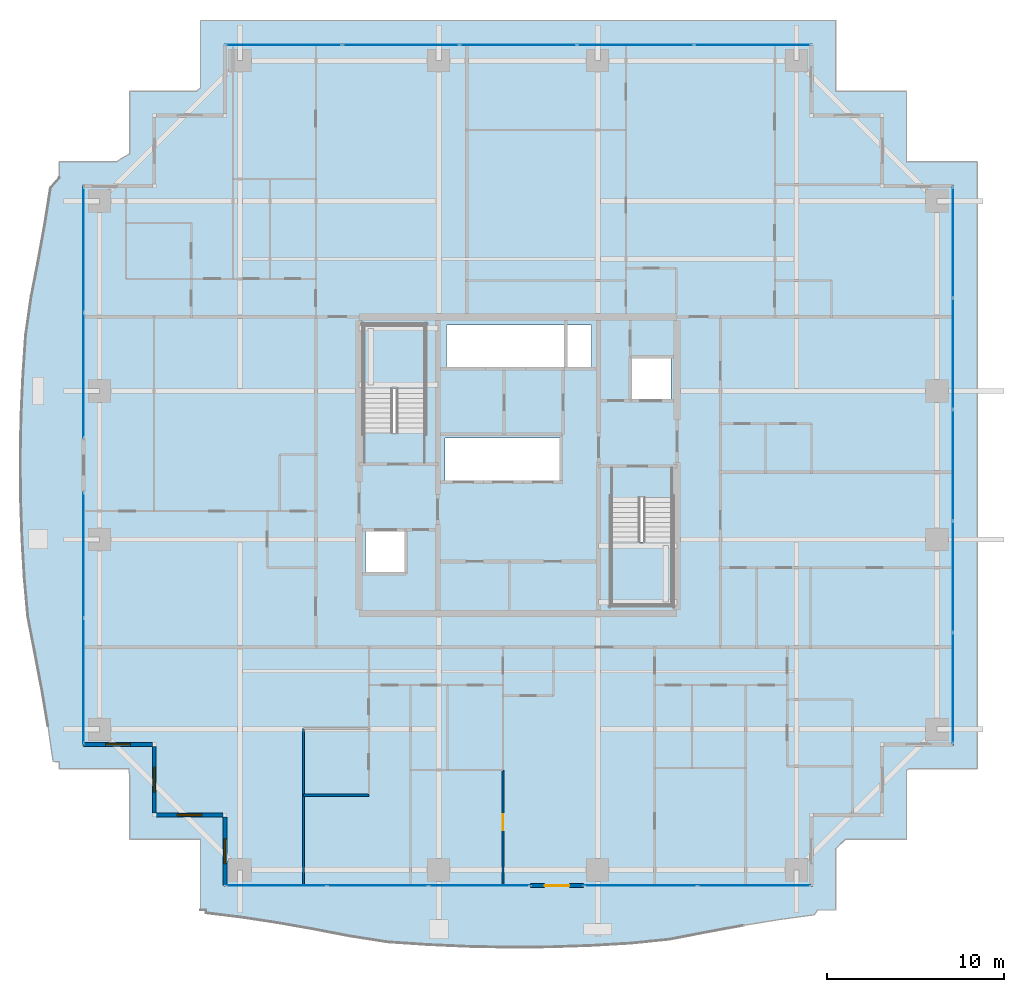
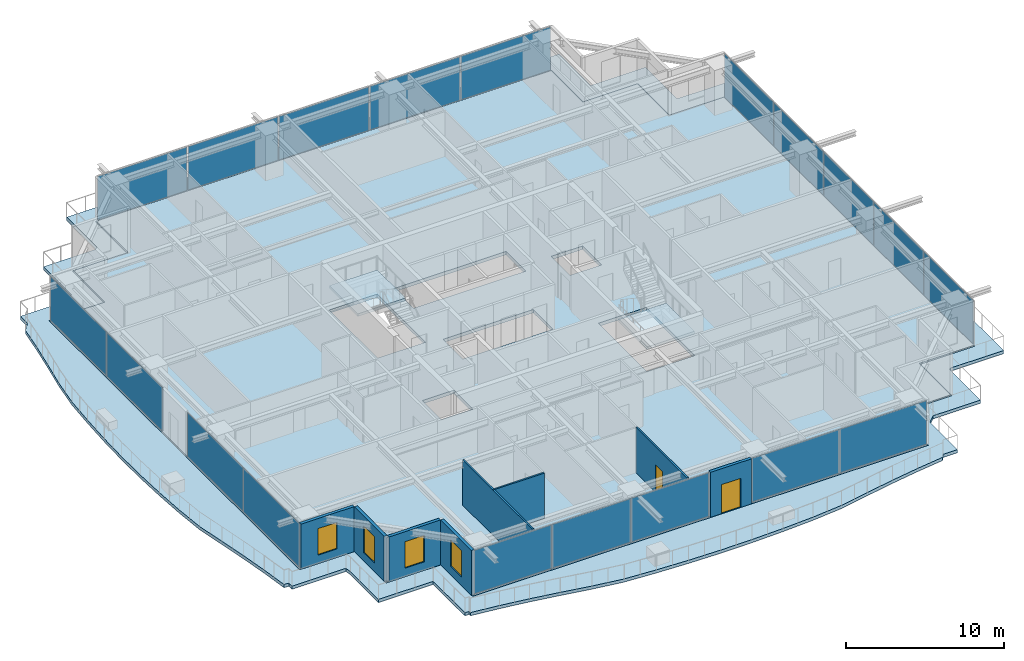
# One storey, part 23 of 34: 19 plates, 8 walls, 4 slabs, 4 windows, 2 doors, 6 openings, 8 elements without a shape of their own.
"""IFC4 building model written with IfcOpenShell, lengths in metres."""

from ifc_helpers import new_model, si_unit, direction, frame, frame_2d, origin, origin_2d, place, context, subcontext, project, spatial, polyline, rectangle, outline, extrude, source, transform, mapped, material, layer, layer_set, type_object, element, fill, aggregate, save


model = new_model("IFC4")

# Units and contexts
model_context = context("Model", 3, precision=1e-05, world=origin(), true_north=direction((0.0, 1.0)))
body_context = subcontext(model_context, "Body", "Model", "MODEL_VIEW")
ifc_project = project(units=[si_unit("LENGTHUNIT", "METRE"), si_unit("AREAUNIT", "SQUARE_METRE"), si_unit("VOLUMEUNIT", "CUBIC_METRE"), si_unit("PLANEANGLEUNIT", "RADIAN"), si_unit("MASSUNIT", "GRAM", prefix="KILO")], contexts=[model_context])

# Site, building, storey
site_placement = place(None, origin())
site = spatial("IfcSite", under=ifc_project, at=site_placement, CompositionType="ELEMENT")
building_placement = place(site_placement, origin())
building = spatial("IfcBuilding", under=site, at=building_placement, Name="Serunith Strait Residences", CompositionType="ELEMENT")
storey_placement = place(building_placement, frame((0.0, 0.0, 187.64990234375)))
storey = spatial("IfcBuildingStorey", under=building, at=storey_placement, Name="L47", CompositionType="ELEMENT", Elevation=187.64990234375)

# Slab
ifc_material_1 = material(Name="Concrete C50/60", Category="concrete")
ifc_layer_1 = layer(ifc_material_1, 0.239990234375, Name="Concrete C50/60")
ifc_layer_set_1 = layer_set([ifc_layer_1], Name="Concrete C50/60")
slab_type_1 = type_object("IfcSlabType", Name="SLB-BALC-240", PredefinedType="FLOOR", material=ifc_layer_set_1)
slab_1_placement = place(storey_placement, frame((0.0, 0.0, -0.289794921875)))
element("IfcSlab", 1, at=slab_1_placement, inside=storey, type_object=slab_type_1, Name="L47 Planted Vertical-Forest Balcony Slab", PredefinedType="FLOOR", context=body_context, shape_type="SweptSolid", body=[
    extrude(outline(polyline([(14.419921875, 0.02001953125), (14.419921875, 4.02001953125), (10.419921875, 4.02001953125), (10.419921875, 7.571533203125), (10.352783203125, 8.02001953125), (6.419921875, 8.02001953125), (6.419921875, 8.41259765625), (6.071533203125, 8.4326171875), (5.786376953125, 10.4326171875), (5.4453125, 12.453125), (5.0576171875, 14.51123046875), (4.648193359375, 16.626220703125), (4.44677734375, 18.855712890625), (4.31591796875, 21.128173828125), (4.23828125, 23.425537109375), (4.221923828125, 25.734619140625), (4.26806640625, 28.039794921875), (4.372314453125, 30.326904296875), (4.524658203125, 32.584228515625), (4.8408203125, 34.759765625), (5.244384765625, 36.84619140625), (5.612060546875, 38.88427734375), (5.927490234375, 40.893310546875), (6.419921875, 41.468017578125), (6.419921875, 42.3798828125), (9.64990234375, 42.3798828125), (10.419921875, 42.8388671875), (10.419921875, 46.3798828125), (14.1982421875, 46.3798828125), (14.419921875, 46.55908203125), (14.419921875, 50.3798828125), (50.3798828125, 50.3798828125), (50.3798828125, 46.3798828125), (54.3798828125, 46.3798828125), (54.3798828125, 42.3798828125), (58.3798828125, 42.3798828125), (58.3798828125, 8.02001953125), (54.51513671875, 8.02001953125), (54.3798828125, 7.921875), (54.3798828125, 4.02001953125), (50.9130859375, 4.02001953125), (50.3798828125, 3.50927734375), (50.3798828125, 0.02001953125), (49.34423828125, 0.02001953125), (49.151611328125, -0.248291015625), (47.151611328125, -0.52099609375), (45.1337890625, -0.851318359375), (43.079833984375, -1.2314453125), (40.97021484375, -1.638427734375), (38.749267578125, -1.864990234375), (36.4755859375, -1.99560546875), (34.17626953125, -2.0732421875), (31.864990234375, -2.090576171875), (29.55712890625, -2.04541015625), (27.267822265625, -1.94287109375), (25.00927734375, -1.79248046875), (22.84423828125, -1.45166015625), (20.7626953125, -1.052978515625), (18.727783203125, -0.69384765625), (16.72021484375, -0.3896484375), (14.723876953125, -0.142822265625), (14.72509765625, 0.02001953125), (14.419921875, 0.02001953125)]), holes=[polyline([(49.054931640625, 1.344970703125), (49.054931640625, 5.344970703125), (53.054931640625, 5.344970703125), (53.054931640625, 9.344970703125), (57.054931640625, 9.344970703125), (57.054931640625, 41.054931640625), (53.054931640625, 41.054931640625), (53.054931640625, 45.054931640625), (49.054931640625, 45.054931640625), (49.054931640625, 49.054931640625), (15.7451171875, 49.054931640625), (15.7451171875, 45.054931640625), (11.7451171875, 45.054931640625), (11.7451171875, 41.054931640625), (7.7451171875, 41.054931640625), (7.7451171875, 9.344970703125), (11.7451171875, 9.344970703125), (11.7451171875, 5.344970703125), (15.7451171875, 5.344970703125), (15.7451171875, 1.344970703125), (49.054931640625, 1.344970703125)])]), origin(), (0.0, 0.0, 1.0), 0.239990234375),
])

# Stair, slab
stair_type_1 = type_object("IfcStairType", Name="STR-CORE-1", PredefinedType="HALF_TURN_STAIR", material=ifc_material_1)
stair_1_placement = place(storey_placement, origin())
stair_1 = element("IfcStair", 2, at=stair_1_placement, inside=storey, type_object=stair_type_1, Name="L47 Protected Escape Stair ST-1", PredefinedType="HALF_TURN_STAIR")
ifc_layer_2 = layer(ifc_material_1, 0.199951171875, Name="Concrete C50/60")
ifc_layer_set_2 = layer_set([ifc_layer_2], Name="Concrete C50/60")
slab_type_2 = type_object("IfcSlabType", Name="SLB-LAND-200", PredefinedType="LANDING", material=ifc_layer_set_2)
slab_2_placement = place(storey_placement, frame((0.0, 0.0, 1.675048828125)))
slab_2 = element("IfcSlab", 3, at=slab_2_placement, type_object=slab_type_2, Name="ST-1 landing 1", PredefinedType="LANDING", context=body_context, shape_type="SweptSolid", body=[
    extrude(outline(polyline([(27.14990234375, 29.550048828125), (27.14990234375, 33.14990234375), (23.64990234375, 33.14990234375), (23.64990234375, 29.550048828125), (27.14990234375, 29.550048828125)])), origin(), (0.0, 0.0, 1.0), 0.199951171875),
])
aggregate(stair_1, [slab_2])

stair_type_2 = type_object("IfcStairType", Name="STR-CORE-2", PredefinedType="HALF_TURN_STAIR", material=ifc_material_1)
stair_2_placement = place(storey_placement, origin())
stair_2 = element("IfcStair", 4, at=stair_2_placement, inside=storey, type_object=stair_type_2, Name="L47 Protected Escape Stair ST-2", PredefinedType="HALF_TURN_STAIR")
slab_3_placement = place(storey_placement, frame((0.0, 0.0, 1.675048828125)))
slab_3 = element("IfcSlab", 5, at=slab_3_placement, type_object=slab_type_2, Name="ST-2 landing 1", PredefinedType="LANDING", context=body_context, shape_type="SweptSolid", body=[
    extrude(outline(polyline([(37.64990234375, 20.85009765625), (37.64990234375, 17.25), (41.14990234375, 17.25), (41.14990234375, 20.85009765625), (37.64990234375, 20.85009765625)])), origin(), (0.0, 0.0, 1.0), 0.199951171875),
])
aggregate(stair_2, [slab_3])

# Slab
ifc_material_2 = material(Name="Concrete C60/75", Category="concrete")
ifc_layer_3 = layer(ifc_material_2, 0.260009765625, Name="Concrete C60/75")
ifc_layer_set_3 = layer_set([ifc_layer_3], Name="Concrete C60/75")
slab_type_3 = type_object("IfcSlabType", Name="SLB-TWR-260-Z2", PredefinedType="FLOOR", material=ifc_layer_set_3)
slab_4_placement = place(storey_placement, frame((0.0, 0.0, -0.260009765625)))
element("IfcSlab", 6, at=slab_4_placement, inside=storey, type_object=slab_type_3, Name="L47 Structural Floor Plate", PredefinedType="FLOOR", context=body_context, shape_type="SweptSolid", body=[
    extrude(outline(polyline([(15.800048828125, 5.39990234375), (11.800048828125, 5.39990234375), (11.800048828125, 9.39990234375), (7.800048828125, 9.39990234375), (7.800048828125, 41.0), (11.800048828125, 41.0), (11.800048828125, 45.0), (15.800048828125, 45.0), (15.800048828125, 49.0), (49.0, 49.0), (49.0, 45.0), (53.0, 45.0), (53.0, 41.0), (57.0, 41.0), (57.0, 9.39990234375), (53.0, 9.39990234375), (53.0, 5.39990234375), (49.0, 5.39990234375), (49.0, 1.39990234375), (15.800048828125, 1.39990234375), (15.800048828125, 5.39990234375)]), holes=[polyline([(41.14990234375, 23.3701171875), (37.64990234375, 23.3701171875), (37.64990234375, 17.25), (41.14990234375, 17.25), (41.14990234375, 23.3701171875)]), polyline([(38.75, 31.25), (38.75, 28.85009765625), (41.050048828125, 28.85009765625), (41.050048828125, 31.25), (38.75, 31.25)]), polyline([(36.550048828125, 33.14990234375), (28.35009765625, 33.14990234375), (28.35009765625, 30.64990234375), (36.550048828125, 30.64990234375), (36.550048828125, 33.14990234375)]), polyline([(34.85009765625, 26.75), (28.25, 26.75), (28.25, 24.25), (34.85009765625, 24.25), (34.85009765625, 26.75)]), polyline([(23.64990234375, 33.14990234375), (23.64990234375, 27.030029296875), (27.14990234375, 27.030029296875), (27.14990234375, 33.14990234375), (23.64990234375, 33.14990234375)]), polyline([(26.050048828125, 21.550048828125), (23.75, 21.550048828125), (23.75, 19.14990234375), (26.050048828125, 19.14990234375), (26.050048828125, 21.550048828125)])]), origin(), (0.0, 0.0, 1.0), 0.260009765625),
])

# Curtain wall, plates
ifc_material_3 = material(Name="Pale-Champagne Anodised Aluminium", Category="aluminium")
ifc_layer_4 = layer(ifc_material_3, 0.199951171875, Name="Pale-Champagne Anodised Aluminium")
ifc_layer_set_4 = layer_set([ifc_layer_4], Name="Pale-Champagne Anodised Aluminium")
curtain_wall_type = type_object("IfcCurtainWallType", Name="CW-SYS2", PredefinedType="NOTDEFINED", material=ifc_layer_set_4)
curtain_wall_1_placement = place(storey_placement, origin())
curtain_wall_1 = element("IfcCurtainWall", 7, at=curtain_wall_1_placement, inside=storey, type_object=curtain_wall_type, Name="L47 N Unitised Fritted Curtain Wall", PredefinedType="NOTDEFINED")
ifc_material_4 = material(Name="Diagonal-Frit Operable Low-E Glazing 30mm", Category="glass")
ifc_layer_5 = layer(ifc_material_4, 0.030029296875, Name="Diagonal-Frit Operable Low-E Glazing 30mm")
ifc_layer_set_5 = layer_set([ifc_layer_5], Name="Diagonal-Frit Operable Low-E Glazing 30mm")
plate_type = type_object("IfcPlateType", Name="CW-SYS2-PNL", PredefinedType="CURTAIN_PANEL", material=ifc_layer_set_5)
shared_shape_1 = source(origin(), body_context, "Body", "SweptSolid", [
    extrude(rectangle(XDim=6.534912109375, YDim=0.030029296875, at=origin_2d()), origin(), (0.0, 0.0, 1.0), 3.35498046875),
])
plate_1_placement = place(storey_placement, frame((45.66259765625, 49.0, 0.06005859375), z_axis=(0.0, 0.0, 1.0), x_axis=(-1.0, 0.0, 0.0)))
plate_1 = element("IfcPlate", 8, at=plate_1_placement, type_object=plate_type, Name="CW-2 panel 1.1", PredefinedType="CURTAIN_PANEL", context=body_context, shape_type="MappedRepresentation", body=[
    mapped(shared_shape_1, transform((0.0, 0.0, 0.0), scale=1.0)),
])
plate_2_placement = place(storey_placement, frame((19.137451171875, 49.0, 0.06005859375), z_axis=(0.0, 0.0, 1.0), x_axis=(-1.0, 0.0, 0.0)))
plate_2 = element("IfcPlate", 9, at=plate_2_placement, type_object=plate_type, Name="CW-2 panel 5.1", PredefinedType="CURTAIN_PANEL", context=body_context, shape_type="MappedRepresentation", body=[
    mapped(shared_shape_1, transform((0.0, 0.0, 0.0), scale=1.0)),
])
shared_shape_2 = source(origin(), body_context, "Body", "SweptSolid", [
    extrude(rectangle(XDim=6.570068359375, YDim=0.030029296875, at=origin_2d()), origin(), (0.0, 0.0, 1.0), 3.35498046875),
])
plate_3_placement = place(storey_placement, frame((39.0400390625, 49.0, 0.06005859375), z_axis=(0.0, 0.0, 1.0), x_axis=(-1.0, 0.0, 0.0)))
plate_3 = element("IfcPlate", 10, at=plate_3_placement, type_object=plate_type, Name="CW-2 panel 2.1", PredefinedType="CURTAIN_PANEL", context=body_context, shape_type="MappedRepresentation", body=[
    mapped(shared_shape_2, transform((0.0, 0.0, 0.0), scale=1.0)),
])
plate_4_placement = place(storey_placement, frame((32.39990234375, 49.0, 0.06005859375), z_axis=(0.0, 0.0, 1.0), x_axis=(-1.0, 0.0, 0.0)))
plate_4 = element("IfcPlate", 11, at=plate_4_placement, type_object=plate_type, Name="CW-2 panel 3.1", PredefinedType="CURTAIN_PANEL", context=body_context, shape_type="MappedRepresentation", body=[
    mapped(shared_shape_2, transform((0.0, 0.0, 0.0), scale=1.0)),
])
plate_5_placement = place(storey_placement, frame((25.760009765625, 49.0, 0.06005859375), z_axis=(0.0, 0.0, 1.0), x_axis=(-1.0, 0.0, 0.0)))
plate_5 = element("IfcPlate", 12, at=plate_5_placement, type_object=plate_type, Name="CW-2 panel 4.1", PredefinedType="CURTAIN_PANEL", context=body_context, shape_type="MappedRepresentation", body=[
    mapped(shared_shape_2, transform((0.0, 0.0, 0.0), scale=1.0)),
])
aggregate(curtain_wall_1, [plate_1, plate_3, plate_4, plate_5, plate_2])

curtain_wall_2_placement = place(storey_placement, origin())
curtain_wall_2 = element("IfcCurtainWall", 13, at=curtain_wall_2_placement, inside=storey, type_object=curtain_wall_type, Name="L47 E Unitised Fritted Curtain Wall", PredefinedType="NOTDEFINED")
shared_shape_3 = source(origin(), body_context, "Body", "SweptSolid", [
    extrude(rectangle(XDim=6.215087890625, YDim=0.030029296875, at=origin_2d()), origin(), (0.0, 0.0, 1.0), 3.35498046875),
])
plate_6_placement = place(storey_placement, frame((57.0, 12.577392578125, 0.06005859375), z_axis=(0.0, 0.0, 1.0), x_axis=(0.0, 1.0, 0.0)))
plate_6 = element("IfcPlate", 14, at=plate_6_placement, type_object=plate_type, Name="CW-2 panel 1.1", PredefinedType="CURTAIN_PANEL", context=body_context, shape_type="MappedRepresentation", body=[
    mapped(shared_shape_3, transform((0.0, 0.0, 0.0), scale=1.0)),
])
plate_7_placement = place(storey_placement, frame((57.0, 37.822509765625, 0.06005859375), z_axis=(0.0, 0.0, 1.0), x_axis=(0.0, 1.0, 0.0)))
plate_7 = element("IfcPlate", 15, at=plate_7_placement, type_object=plate_type, Name="CW-2 panel 5.1", PredefinedType="CURTAIN_PANEL", context=body_context, shape_type="MappedRepresentation", body=[
    mapped(shared_shape_3, transform((0.0, 0.0, 0.0), scale=1.0)),
])
shared_shape_4 = source(origin(), body_context, "Body", "SweptSolid", [
    extrude(rectangle(XDim=6.25, YDim=0.030029296875, at=origin_2d()), origin(), (0.0, 0.0, 1.0), 3.35498046875),
])
plate_8_placement = place(storey_placement, frame((57.0, 18.8798828125, 0.06005859375), z_axis=(0.0, 0.0, 1.0), x_axis=(0.0, 1.0, 0.0)))
plate_8 = element("IfcPlate", 16, at=plate_8_placement, type_object=plate_type, Name="CW-2 panel 2.1", PredefinedType="CURTAIN_PANEL", context=body_context, shape_type="MappedRepresentation", body=[
    mapped(shared_shape_4, transform((0.0, 0.0, 0.0), scale=1.0)),
])
plate_9_placement = place(storey_placement, frame((57.0, 25.199951171875, 0.06005859375), z_axis=(0.0, 0.0, 1.0), x_axis=(0.0, 1.0, 0.0)))
plate_9 = element("IfcPlate", 17, at=plate_9_placement, type_object=plate_type, Name="CW-2 panel 3.1", PredefinedType="CURTAIN_PANEL", context=body_context, shape_type="MappedRepresentation", body=[
    mapped(shared_shape_4, transform((0.0, 0.0, 0.0), scale=1.0)),
])
plate_10_placement = place(storey_placement, frame((57.0, 31.52001953125, 0.06005859375), z_axis=(0.0, 0.0, 1.0), x_axis=(0.0, 1.0, 0.0)))
plate_10 = element("IfcPlate", 18, at=plate_10_placement, type_object=plate_type, Name="CW-2 panel 4.1", PredefinedType="CURTAIN_PANEL", context=body_context, shape_type="MappedRepresentation", body=[
    mapped(shared_shape_4, transform((0.0, 0.0, 0.0), scale=1.0)),
])
aggregate(curtain_wall_2, [plate_6, plate_8, plate_9, plate_10, plate_7])

curtain_wall_3_placement = place(storey_placement, origin())
curtain_wall_3 = element("IfcCurtainWall", 19, at=curtain_wall_3_placement, inside=storey, type_object=curtain_wall_type, Name="L47 S Unitised Fritted Curtain Wall", PredefinedType="NOTDEFINED")
shared_shape_5 = source(origin(), body_context, "Body", "SweptSolid", [
    extrude(rectangle(XDim=5.66162109375, YDim=0.030029296875, at=origin_2d()), origin(), (0.0, 0.0, 1.0), 3.35498046875),
])
plate_11_placement = place(storey_placement, frame((18.700927734375, 1.39990234375, 0.06005859375), z_axis=(0.0, 0.0, 1.0), x_axis=(1.0, 0.0, 0.0)))
plate_11 = element("IfcPlate", 20, at=plate_11_placement, type_object=plate_type, Name="CW-2 panel 1.1", PredefinedType="CURTAIN_PANEL", context=body_context, shape_type="MappedRepresentation", body=[
    mapped(shared_shape_5, transform((0.0, 0.0, 0.0), scale=1.0)),
])
plate_12_placement = place(storey_placement, frame((30.19921875, 1.39990234375, 0.06005859375), z_axis=(0.0, 0.0, 1.0), x_axis=(1.0, 0.0, 0.0)))
plate_12 = element("IfcPlate", 21, at=plate_12_placement, type_object=plate_type, Name="CW-2 panel 3.1", PredefinedType="CURTAIN_PANEL", context=body_context, shape_type="MappedRepresentation", body=[
    mapped(shared_shape_5, transform((0.0, 0.0, 0.0), scale=1.0)),
])
shared_shape_6 = source(origin(), body_context, "Body", "SweptSolid", [
    extrude(rectangle(XDim=5.69677734375, YDim=0.030029296875, at=origin_2d()), origin(), (0.0, 0.0, 1.0), 3.35498046875),
])
plate_13_placement = place(storey_placement, frame((24.449951171875, 1.39990234375, 0.06005859375), z_axis=(0.0, 0.0, 1.0), x_axis=(1.0, 0.0, 0.0)))
plate_13 = element("IfcPlate", 22, at=plate_13_placement, type_object=plate_type, Name="CW-2 panel 2.1", PredefinedType="CURTAIN_PANEL", context=body_context, shape_type="MappedRepresentation", body=[
    mapped(shared_shape_6, transform((0.0, 0.0, 0.0), scale=1.0)),
])
aggregate(curtain_wall_3, [plate_11, plate_13, plate_12])

curtain_wall_4_placement = place(storey_placement, origin())
curtain_wall_4 = element("IfcCurtainWall", 23, at=curtain_wall_4_placement, inside=storey, type_object=curtain_wall_type, Name="L47 S Unitised Fritted Curtain Wall", PredefinedType="NOTDEFINED")
shared_shape_7 = source(origin(), body_context, "Body", "SweptSolid", [
    extrude(rectangle(XDim=6.344970703125, YDim=0.030029296875, at=origin_2d()), origin(), (0.0, 0.0, 1.0), 3.35498046875),
])
plate_14_placement = place(storey_placement, frame((39.342529296875, 1.39990234375, 0.06005859375), z_axis=(0.0, 0.0, 1.0), x_axis=(1.0, 0.0, 0.0)))
plate_14 = element("IfcPlate", 24, at=plate_14_placement, type_object=plate_type, Name="CW-2 panel 1.1", PredefinedType="CURTAIN_PANEL", context=body_context, shape_type="MappedRepresentation", body=[
    mapped(shared_shape_7, transform((0.0, 0.0, 0.0), scale=1.0)),
])
plate_15_placement = place(storey_placement, frame((45.757568359375, 1.39990234375, 0.06005859375), z_axis=(0.0, 0.0, 1.0), x_axis=(1.0, 0.0, 0.0)))
plate_15 = element("IfcPlate", 25, at=plate_15_placement, type_object=plate_type, Name="CW-2 panel 2.1", PredefinedType="CURTAIN_PANEL", context=body_context, shape_type="MappedRepresentation", body=[
    mapped(shared_shape_7, transform((0.0, 0.0, 0.0), scale=1.0)),
])
aggregate(curtain_wall_4, [plate_14, plate_15])

curtain_wall_5_placement = place(storey_placement, origin())
curtain_wall_5 = element("IfcCurtainWall", 26, at=curtain_wall_5_placement, inside=storey, type_object=curtain_wall_type, Name="L47 W Unitised Fritted Curtain Wall", PredefinedType="NOTDEFINED")
shared_shape_8 = source(origin(), body_context, "Body", "SweptSolid", [
    extrude(rectangle(XDim=7.044921875, YDim=0.030029296875, at=origin_2d()), origin(), (0.0, 0.0, 1.0), 3.35498046875),
])
plate_16_placement = place(storey_placement, frame((7.800048828125, 37.407470703125, 0.06005859375), z_axis=(0.0, 0.0, 1.0), x_axis=(0.0, -1.0, 0.0)))
plate_16 = element("IfcPlate", 27, at=plate_16_placement, type_object=plate_type, Name="CW-2 panel 1.1", PredefinedType="CURTAIN_PANEL", context=body_context, shape_type="MappedRepresentation", body=[
    mapped(shared_shape_8, transform((0.0, 0.0, 0.0), scale=1.0)),
])
plate_17_placement = place(storey_placement, frame((7.800048828125, 30.29248046875, 0.06005859375), z_axis=(0.0, 0.0, 1.0), x_axis=(0.0, -1.0, 0.0)))
plate_17 = element("IfcPlate", 28, at=plate_17_placement, type_object=plate_type, Name="CW-2 panel 2.1", PredefinedType="CURTAIN_PANEL", context=body_context, shape_type="MappedRepresentation", body=[
    mapped(shared_shape_8, transform((0.0, 0.0, 0.0), scale=1.0)),
])
aggregate(curtain_wall_5, [plate_16, plate_17])

curtain_wall_6_placement = place(storey_placement, origin())
curtain_wall_6 = element("IfcCurtainWall", 29, at=curtain_wall_6_placement, inside=storey, type_object=curtain_wall_type, Name="L47 W Unitised Fritted Curtain Wall", PredefinedType="NOTDEFINED")
plate_18_placement = place(storey_placement, frame((7.800048828125, 20.107421875, 0.06005859375), z_axis=(0.0, 0.0, 1.0), x_axis=(0.0, -1.0, 0.0)))
plate_18 = element("IfcPlate", 30, at=plate_18_placement, type_object=plate_type, Name="CW-2 panel 1.1", PredefinedType="CURTAIN_PANEL", context=body_context, shape_type="MappedRepresentation", body=[
    mapped(shared_shape_8, transform((0.0, 0.0, 0.0), scale=1.0)),
])
plate_19_placement = place(storey_placement, frame((7.800048828125, 12.992431640625, 0.06005859375), z_axis=(0.0, 0.0, 1.0), x_axis=(0.0, -1.0, 0.0)))
plate_19 = element("IfcPlate", 31, at=plate_19_placement, type_object=plate_type, Name="CW-2 panel 2.1", PredefinedType="CURTAIN_PANEL", context=body_context, shape_type="MappedRepresentation", body=[
    mapped(shared_shape_8, transform((0.0, 0.0, 0.0), scale=1.0)),
])
aggregate(curtain_wall_6, [plate_18, plate_19])

# Wall, opening, door
ifc_material_5 = material(Name="Pale-Champagne Aluminium Insulated Panel", Category="aluminium")
ifc_layer_6 = layer(ifc_material_5, 0.219970703125, Name="Pale-Champagne Aluminium Insulated Panel")
ifc_layer_set_6 = layer_set([ifc_layer_6], Name="Pale-Champagne Aluminium Insulated Panel")
wall_type_1 = type_object("IfcWallType", Name="EW-ALUM-220", PredefinedType="ELEMENTEDWALL", material=ifc_layer_set_6)
wall_1_placement = place(storey_placement, frame((33.10009765625, 1.39990234375, 0.0), z_axis=(0.0, 0.0, 1.0), x_axis=(1.0, 0.0, 0.0)))
wall_1 = element("IfcWall", 32, at=wall_1_placement, inside=storey, type_object=wall_type_1, Name="L47 S Facade Pier Wall", PredefinedType="ELEMENTEDWALL", context=body_context, shape_type="SweptSolid", body=[
    extrude(rectangle(XDim=3.0, YDim=0.219970703125, at=frame_2d((1.5, 0.0))), origin(), (0.0, 0.0, 1.0), 3.47509765625),
])
opening_1_placement = place(wall_1_placement, frame((0.800048828125, 0.0, 0.0)))
opening_1 = element("IfcOpeningElement", 33, at=opening_1_placement, cuts=wall_1, Name="Opening ED-04", PredefinedType="OPENING", context=body_context, shape_type="SweptSolid", body=[
    extrude(rectangle(XDim=1.39990234375, YDim=2.25, at=frame_2d((0.699951171875, 1.125))), frame((0.0, 0.1201171875, 0.0), z_axis=(0.0, -1.0, 0.0), x_axis=(1.0, 0.0, 0.0)), (0.0, 0.0, 1.0), 0.239990234375),
])
ifc_material_6 = material(Name="Thermally-Broken Aluminium Sliding Balcony Door", Category="aluminium")
door_type_1 = type_object("IfcDoorType", Name="ED-BALC-1400", OperationType="NOTDEFINED", PredefinedType="DOOR", material=ifc_material_6)
shared_shape_9 = source(origin(), body_context, "Body", "SweptSolid", [
    extrude(rectangle(XDim=1.39990234375, YDim=2.25, at=frame_2d((0.699951171875, 1.125))), frame((0.0, 0.02490234375, 0.0), z_axis=(0.0, -1.0, 0.0), x_axis=(1.0, 0.0, 0.0)), (0.0, 0.0, 1.0), 0.050048828125),
])
door_1_placement = place(opening_1_placement, origin())
door_1 = element("IfcDoor", 34, at=door_1_placement, inside=storey, type_object=door_type_1, Name="L47 S Vertical-Forest Balcony Door", OperationType="SLIDING_TO_LEFT", OverallHeight=2.25, OverallWidth=1.39990234375, PredefinedType="DOOR", context=body_context, shape_type="MappedRepresentation", body=[
    mapped(shared_shape_9, transform((0.0, 0.0, 0.0), scale=1.0)),
])
fill(opening_1, door_1)

# Wall, opening, window
wall_2_placement = place(storey_placement, frame((7.800048828125, 9.39990234375, 0.0), z_axis=(0.0, 0.0, 1.0), x_axis=(1.0, 0.0, 0.0)))
wall_2 = element("IfcWall", 35, at=wall_2_placement, inside=storey, type_object=wall_type_1, Name="L47 Girih Serrated Corner Wall 17", PredefinedType="ELEMENTEDWALL", context=body_context, shape_type="SweptSolid", body=[
    extrude(rectangle(XDim=3.889892578125, YDim=0.219970703125, at=frame_2d((1.94482421875, 0.0))), origin(), (0.0, 0.0, 1.0), 3.47509765625),
])
opening_2_placement = place(wall_2_placement, frame((1.2451171875, 0.0, 0.64990234375)))
opening_2 = element("IfcOpeningElement", 36, at=opening_2_placement, cuts=wall_2, Name="Opening W-03", PredefinedType="OPENING", context=body_context, shape_type="SweptSolid", body=[
    extrude(rectangle(XDim=1.39990234375, YDim=2.050048828125, at=frame_2d((0.699951171875, 1.02490234375))), frame((0.0, 0.1201171875, 0.0), z_axis=(0.0, -1.0, 0.0), x_axis=(1.0, 0.0, 0.0)), (0.0, 0.0, 1.0), 0.239990234375),
])
ifc_material_7 = material(Name="Ceramic-Fritted Operable Aluminium Window Glass", Category="aluminium")
window_type = type_object("IfcWindowType", Name="WIN-C3", PartitioningType="SINGLE_PANEL", PredefinedType="WINDOW", material=ifc_material_7)
shared_shape_10 = source(origin(), body_context, "Body", "SweptSolid", [
    extrude(rectangle(XDim=1.39990234375, YDim=2.050048828125, at=frame_2d((0.699951171875, 1.02490234375))), frame((0.0, 0.030029296875, 0.0), z_axis=(0.0, -1.0, 0.0), x_axis=(1.0, 0.0, 0.0)), (0.0, 0.0, 1.0), 0.06005859375),
])
window_1_placement = place(opening_2_placement, origin())
window_1 = element("IfcWindow", 37, at=window_1_placement, inside=storey, type_object=window_type, Name="L47 Corner Operable Fritted Window 17", OverallHeight=2.050048828125, OverallWidth=1.39990234375, PartitioningType="SINGLE_PANEL", PredefinedType="WINDOW", context=body_context, shape_type="MappedRepresentation", body=[
    mapped(shared_shape_10, transform((0.0, 0.0, 0.0), scale=1.0)),
])
fill(opening_2, window_1)

wall_3_placement = place(storey_placement, frame((11.800048828125, 9.2900390625, 0.0), z_axis=(0.0, 0.0, 1.0), x_axis=(0.0, -1.0, 0.0)))
wall_3 = element("IfcWall", 38, at=wall_3_placement, inside=storey, type_object=wall_type_1, Name="L47 Girih Serrated Corner Wall 18", PredefinedType="ELEMENTEDWALL", context=body_context, shape_type="SweptSolid", body=[
    extrude(rectangle(XDim=3.780029296875, YDim=0.219970703125, at=frame_2d((1.89013671875, 0.0))), origin(), (0.0, 0.0, 1.0), 3.47509765625),
])
opening_3_placement = place(wall_3_placement, frame((1.18994140625, 0.0, 0.64990234375)))
opening_3 = element("IfcOpeningElement", 39, at=opening_3_placement, cuts=wall_3, Name="Opening W-03", PredefinedType="OPENING", context=body_context, shape_type="SweptSolid", body=[
    extrude(rectangle(XDim=1.39990234375, YDim=2.050048828125, at=frame_2d((0.699951171875, 1.02490234375))), frame((0.0, 0.1201171875, 0.0), z_axis=(0.0, -1.0, 0.0), x_axis=(1.0, 0.0, 0.0)), (0.0, 0.0, 1.0), 0.239990234375),
])
window_2_placement = place(opening_3_placement, origin())
window_2 = element("IfcWindow", 40, at=window_2_placement, inside=storey, type_object=window_type, Name="L47 Corner Operable Fritted Window 18", OverallHeight=2.050048828125, OverallWidth=1.39990234375, PartitioningType="SINGLE_PANEL", PredefinedType="WINDOW", context=body_context, shape_type="MappedRepresentation", body=[
    mapped(shared_shape_10, transform((0.0, 0.0, 0.0), scale=1.0)),
])
fill(opening_3, window_2)

wall_4_placement = place(storey_placement, frame((11.909912109375, 5.39990234375, 0.0), z_axis=(0.0, 0.0, 1.0), x_axis=(1.0, 0.0, 0.0)))
wall_4 = element("IfcWall", 41, at=wall_4_placement, inside=storey, type_object=wall_type_1, Name="L47 Girih Serrated Corner Wall 19", PredefinedType="ELEMENTEDWALL", context=body_context, shape_type="SweptSolid", body=[
    extrude(rectangle(XDim=3.780029296875, YDim=0.219970703125, at=frame_2d((1.89013671875, 0.0))), origin(), (0.0, 0.0, 1.0), 3.47509765625),
])
opening_4_placement = place(wall_4_placement, frame((1.18994140625, 0.0, 0.64990234375)))
opening_4 = element("IfcOpeningElement", 42, at=opening_4_placement, cuts=wall_4, Name="Opening W-03", PredefinedType="OPENING", context=body_context, shape_type="SweptSolid", body=[
    extrude(rectangle(XDim=1.39990234375, YDim=2.050048828125, at=frame_2d((0.699951171875, 1.02490234375))), frame((0.0, 0.1201171875, 0.0), z_axis=(0.0, -1.0, 0.0), x_axis=(1.0, 0.0, 0.0)), (0.0, 0.0, 1.0), 0.239990234375),
])
window_3_placement = place(opening_4_placement, origin())
window_3 = element("IfcWindow", 43, at=window_3_placement, inside=storey, type_object=window_type, Name="L47 Corner Operable Fritted Window 19", OverallHeight=2.050048828125, OverallWidth=1.39990234375, PartitioningType="SINGLE_PANEL", PredefinedType="WINDOW", context=body_context, shape_type="MappedRepresentation", body=[
    mapped(shared_shape_10, transform((0.0, 0.0, 0.0), scale=1.0)),
])
fill(opening_4, window_3)

wall_5_placement = place(storey_placement, frame((15.800048828125, 5.2900390625, 0.0), z_axis=(0.0, 0.0, 1.0), x_axis=(0.0, -1.0, 0.0)))
wall_5 = element("IfcWall", 44, at=wall_5_placement, inside=storey, type_object=wall_type_1, Name="L47 Girih Serrated Corner Wall 20", PredefinedType="ELEMENTEDWALL", context=body_context, shape_type="SweptSolid", body=[
    extrude(rectangle(XDim=3.89013671875, YDim=0.219970703125, at=frame_2d((1.945068359375, 0.0))), origin(), (0.0, 0.0, 1.0), 3.47509765625),
])
opening_5_placement = place(wall_5_placement, frame((1.2451171875, 0.0, 0.64990234375)))
opening_5 = element("IfcOpeningElement", 45, at=opening_5_placement, cuts=wall_5, Name="Opening W-03", PredefinedType="OPENING", context=body_context, shape_type="SweptSolid", body=[
    extrude(rectangle(XDim=1.39990234375, YDim=2.050048828125, at=frame_2d((0.699951171875, 1.02490234375))), frame((0.0, 0.1201171875, 0.0), z_axis=(0.0, -1.0, 0.0), x_axis=(1.0, 0.0, 0.0)), (0.0, 0.0, 1.0), 0.239990234375),
])
window_4_placement = place(opening_5_placement, origin())
window_4 = element("IfcWindow", 46, at=window_4_placement, inside=storey, type_object=window_type, Name="L47 Corner Operable Fritted Window 20", OverallHeight=2.050048828125, OverallWidth=1.39990234375, PartitioningType="SINGLE_PANEL", PredefinedType="WINDOW", context=body_context, shape_type="MappedRepresentation", body=[
    mapped(shared_shape_10, transform((0.0, 0.0, 0.0), scale=1.0)),
])
fill(opening_5, window_4)

# Wall, opening, door
ifc_material_8 = material(Name="Lightweight steel-stud gypsum partition", Category="steel")
ifc_layer_7 = layer(ifc_material_8, 0.1201171875, Name="Lightweight steel-stud gypsum partition")
ifc_layer_set_7 = layer_set([ifc_layer_7], Name="Lightweight steel-stud gypsum partition")
wall_type_2 = type_object("IfcWallType", Name="IW-PART-120", PredefinedType="PARTITIONING", material=ifc_layer_set_7)
wall_6_placement = place(storey_placement, frame((31.5400390625, 1.4951171875, 0.0), z_axis=(0.0, 0.0, 1.0), x_axis=(0.0, 1.0, 0.0)))
wall_6 = element("IfcWall", 47, at=wall_6_placement, inside=storey, type_object=wall_type_2, Name="L47 Partition Wall 032", PredefinedType="PARTITIONING", context=body_context, shape_type="SweptSolid", body=[
    extrude(rectangle(XDim=6.449951171875, YDim=0.1201171875, at=frame_2d((3.22509765625, 0.0))), origin(), (0.0, 0.0, 1.0), 3.489990234375),
])
opening_6_placement = place(wall_6_placement, frame((3.052978515625, 0.0, 0.0)))
opening_6 = element("IfcOpeningElement", 48, at=opening_6_placement, cuts=wall_6, Name="Opening D-RM900", PredefinedType="OPENING", context=body_context, shape_type="SweptSolid", body=[
    extrude(rectangle(XDim=0.89990234375, YDim=2.10009765625, at=frame_2d((0.449951171875, 1.050048828125))), frame((0.0, 0.070068359375, 0.0), z_axis=(0.0, -1.0, 0.0), x_axis=(1.0, 0.0, 0.0)), (0.0, 0.0, 1.0), 0.14013671875),
])
ifc_material_9 = material(Name="Engineered timber flush bedroom door", Category="wood")
door_type_2 = type_object("IfcDoorType", Name="ID-ROOM-900", OperationType="NOTDEFINED", PredefinedType="DOOR", material=ifc_material_9)
shared_shape_11 = source(origin(), body_context, "Body", "SweptSolid", [
    extrude(rectangle(XDim=0.89990234375, YDim=2.10009765625, at=frame_2d((0.449951171875, 1.050048828125))), frame((0.0, 0.02490234375, 0.0), z_axis=(0.0, -1.0, 0.0), x_axis=(1.0, 0.0, 0.0)), (0.0, 0.0, 1.0), 0.050048828125),
])
door_2_placement = place(opening_6_placement, origin())
door_2 = element("IfcDoor", 49, at=door_2_placement, inside=storey, type_object=door_type_2, Name="L47 Formal Dining Room 1 4701 Door", OperationType="SINGLE_SWING_LEFT", OverallHeight=2.10009765625, OverallWidth=0.89990234375, PredefinedType="DOOR", context=body_context, shape_type="MappedRepresentation", body=[
    mapped(shared_shape_11, transform((0.0, 0.0, 0.0), scale=1.0)),
])
fill(opening_6, door_2)

# Walls
wall_7_placement = place(storey_placement, frame((20.25, 6.51904296875, 0.0), z_axis=(0.0, 0.0, 1.0), x_axis=(1.0, 0.0, 0.0)))
element("IfcWall", 50, at=wall_7_placement, inside=storey, type_object=wall_type_2, Name="L47 Partition Wall 040", PredefinedType="PARTITIONING", context=body_context, shape_type="SweptSolid", body=[
    extrude(rectangle(XDim=3.699951171875, YDim=0.1201171875, at=frame_2d((1.85009765625, 0.0))), origin(), (0.0, 0.0, 1.0), 3.489990234375),
])
wall_8_placement = place(storey_placement, frame((20.25, 1.4951171875, 0.0), z_axis=(0.0, 0.0, 1.0), x_axis=(0.0, 1.0, 0.0)))
element("IfcWall", 51, at=wall_8_placement, inside=storey, type_object=wall_type_2, Name="L47 Partition Wall 041", PredefinedType="PARTITIONING", context=body_context, shape_type="SweptSolid", body=[
    extrude(rectangle(XDim=8.807861328125, YDim=0.1201171875, at=frame_2d((4.40380859375, 0.0))), origin(), (0.0, 0.0, 1.0), 3.489990234375),
])

save(model, "model.ifc")
